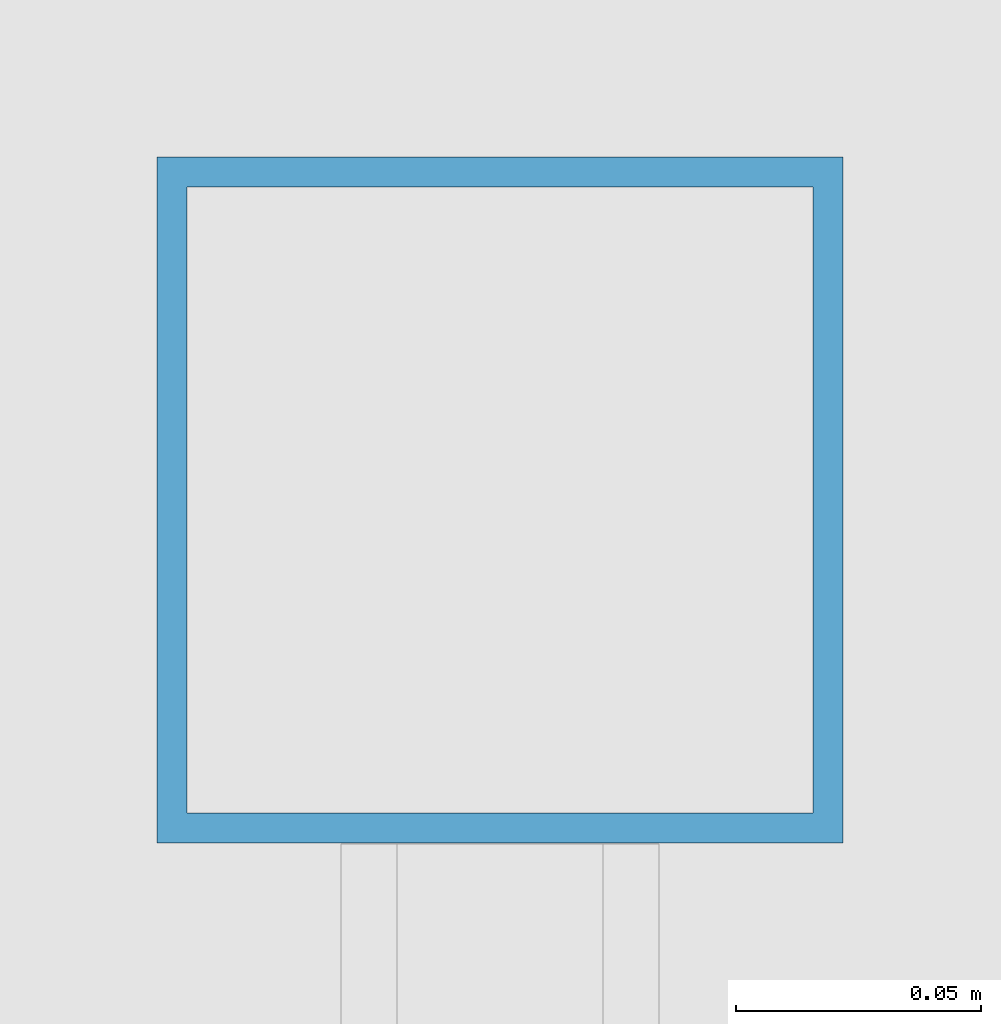
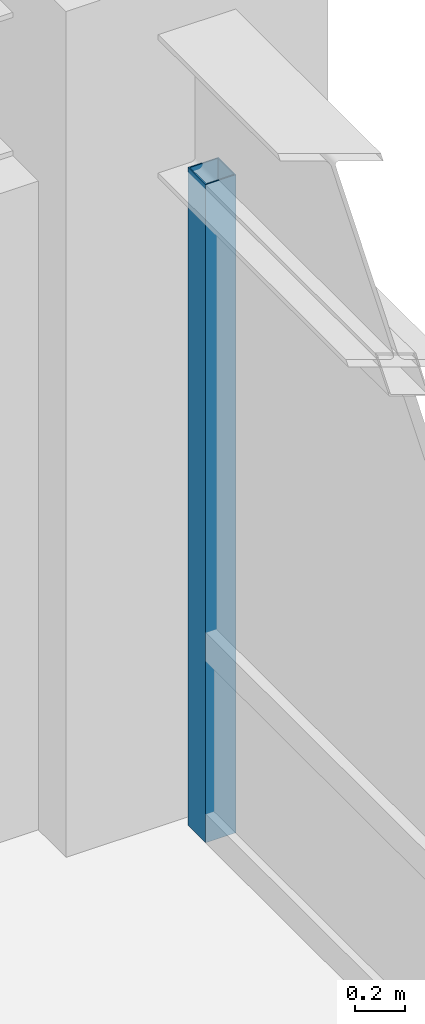
# One storey, part 16 of 32: 1 member, 1 element without a shape of its own.
"""IFC4 building model written with IfcOpenShell, lengths in metres."""

from ifc_helpers import new_model, si_unit, direction, frame, origin, origin_2d, place, context, subcontext, project, spatial, hollow_rectangle, extrude, source, transform, mapped, material, material_profile, profile_set, type_object, element, aggregate, save


model = new_model("IFC4")

# Units and contexts
model_context = context("Model", 3, precision=1e-05, world=origin(), true_north=direction((0.0, 1.0)))
body_context = subcontext(model_context, "Body", "Model", "MODEL_VIEW")
ifc_project = project(units=[si_unit("LENGTHUNIT", "METRE"), si_unit("AREAUNIT", "SQUARE_METRE"), si_unit("VOLUMEUNIT", "CUBIC_METRE"), si_unit("PLANEANGLEUNIT", "RADIAN"), si_unit("MASSUNIT", "GRAM", prefix="KILO")], contexts=[model_context])

# Site, building, storey
site_placement = place(None, origin())
site = spatial("IfcSite", under=ifc_project, at=site_placement, CompositionType="ELEMENT")
building_placement = place(site_placement, origin())
building = spatial("IfcBuilding", under=site, at=building_placement, Name="Khorayat Bourse Tower", CompositionType="ELEMENT")
storey_placement = place(building_placement, frame((0.0, 0.0, 128.300048828125)))
storey = spatial("IfcBuildingStorey", under=building, at=storey_placement, Name="L29", CompositionType="ELEMENT", Elevation=128.300048828125)

# Curtain wall, member
ifc_material = material(Name="Aluminium EN AW-6063 T6", Category="aluminium")
curtain_wall_type = type_object("IfcCurtainWallType", Name="CW-SYS-02", PredefinedType="NOTDEFINED", material=ifc_material)
curtain_wall_placement = place(storey_placement, origin())
curtain_wall = element("IfcCurtainWall", 1, at=curtain_wall_placement, inside=storey, type_object=curtain_wall_type, Name="L29 Curtain Wall CW-L29-E1", PredefinedType="NOTDEFINED")
ifc_material_profile = material_profile(ifc_material, hollow_rectangle(XDim=0.139892578125, YDim=0.139892578125, WallThickness=0.006103515625, at=origin_2d()), Name="ALU 140x140x6")
ifc_profile_set = profile_set([ifc_material_profile], Name="Aluminium EN AW-6063 T6")
member_type = type_object("IfcMemberType", Name="CWM-VERT-140", PredefinedType="MULLION", material=ifc_profile_set)
shared_shape = source(origin(), body_context, "Body", "SweptSolid", [
    extrude(hollow_rectangle(XDim=0.139892578125, YDim=0.139892578125, WallThickness=0.006103515625, at=origin_2d()), origin(), (0.0, 0.0, 1.0), 3.18994140625),
])
member_placement = place(storey_placement, frame((32.0, 27.280029296875, 0.0), z_axis=(0.0, 0.0, 1.0), x_axis=(-1.0, 0.0, 0.0)))
member = element("IfcMember", 2, at=member_placement, type_object=member_type, Name="CW-L29-E1 Vertical Mullion 3", PredefinedType="MULLION", context=body_context, shape_type="MappedRepresentation", body=[
    mapped(shared_shape, transform((0.0, 0.0, 0.0), scale=1.0)),
])
aggregate(curtain_wall, [member])

save(model, "model.ifc")
